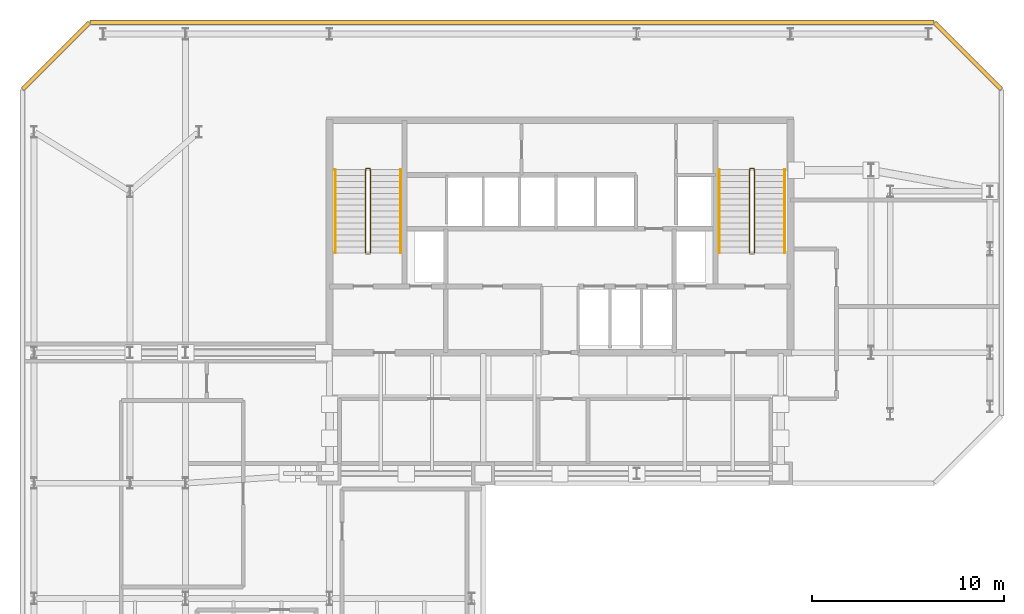
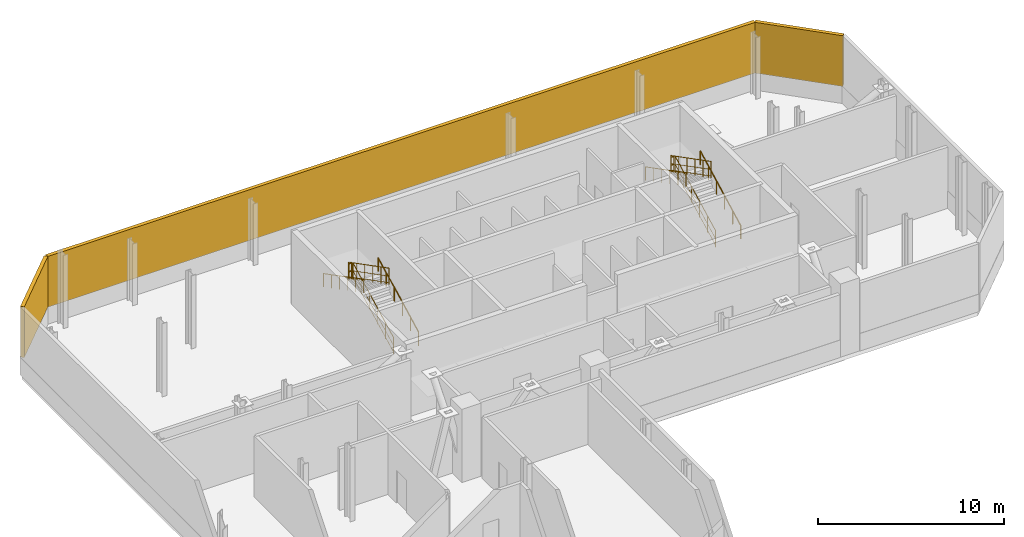
# One storey, part 9 of 9: 10 railings, 3 shading devices.
"""IFC4 building model written with IfcOpenShell, lengths in metres."""

from ifc_helpers import new_model, si_unit, direction, frame, origin, origin_2d, place, context, subcontext, project, spatial, rectangle, circle, extrude, material, type_object, element, save


model = new_model("IFC4")

# Units and contexts
model_context = context("Model", 3, precision=1e-05, world=origin(), true_north=direction((0.0, 1.0)))
body_context = subcontext(model_context, "Body", "Model", "MODEL_VIEW")
ifc_project = project(units=[si_unit("LENGTHUNIT", "METRE"), si_unit("AREAUNIT", "SQUARE_METRE"), si_unit("VOLUMEUNIT", "CUBIC_METRE"), si_unit("PLANEANGLEUNIT", "RADIAN"), si_unit("MASSUNIT", "GRAM", prefix="KILO")], contexts=[model_context])

# Site, building, storey
site_placement = place(None, origin())
site = spatial("IfcSite", under=ifc_project, at=site_placement, CompositionType="ELEMENT")
building_placement = place(site_placement, origin())
building = spatial("IfcBuilding", under=site, at=building_placement, Name="Catumbela Crestline Tower", CompositionType="ELEMENT")
storey_placement = place(building_placement, frame((0.0, 0.0, 144.0)))
storey = spatial("IfcBuildingStorey", under=building, at=storey_placement, Name="L37", CompositionType="ELEMENT", Elevation=144.0)

# Railings
ifc_material_1 = material(Name="Stainless steel EN 1.4401", Category="steel")
railing_type_1 = type_object("IfcRailingType", Name="RG-1100", PredefinedType="GUARDRAIL", material=ifc_material_1)
railing_1_placement = place(storey_placement, frame((18.14, 36.0, 0.16)))
element("IfcRailing", 1, at=railing_1_placement, inside=storey, type_object=railing_type_1, Name="L37 ST-01 stair guard 1", PredefinedType="GUARDRAIL", context=body_context, shape_type="SweptSolid", body=[
    extrude(circle(Radius=0.024, at=origin_2d()), frame((0.0, 0.0, 1.076), z_axis=(0.0, 0.888620657055, 0.45864291977), x_axis=(-1.0, 0.0, 0.0)), (0.0, 0.0, 1.0), 4.884),
    extrude(circle(Radius=0.0156, at=origin_2d()), frame((0.0, 0.0, 0.55), z_axis=(0.0, 0.888620657055, 0.45864291977), x_axis=(-1.0, 0.0, 0.0)), (0.0, 0.0, 1.0), 4.884),
    extrude(circle(Radius=0.0156, at=origin_2d()), frame((0.0, 0.0, 0.12), z_axis=(0.0, 0.888620657055, 0.45864291977), x_axis=(-1.0, 0.0, 0.0)), (0.0, 0.0, 1.0), 4.884),
    extrude(circle(Radius=0.021, at=origin_2d()), origin(), (0.0, 0.0, 1.0), 1.052),
    extrude(circle(Radius=0.021, at=origin_2d()), frame((0.0, 0.868, 0.448)), (0.0, 0.0, 1.0), 1.052),
    extrude(circle(Radius=0.021, at=origin_2d()), frame((0.0, 1.736, 0.896)), (0.0, 0.0, 1.0), 1.052),
    extrude(circle(Radius=0.021, at=origin_2d()), frame((0.0, 2.604, 1.344)), (0.0, 0.0, 1.0), 1.052),
    extrude(circle(Radius=0.021, at=origin_2d()), frame((0.0, 3.472, 1.792)), (0.0, 0.0, 1.0), 1.052),
    extrude(circle(Radius=0.021, at=origin_2d()), frame((0.0, 4.34, 2.24)), (0.0, 0.0, 1.0), 1.052),
])
railing_2_placement = place(storey_placement, frame((18.09, 40.39, 2.4)))
element("IfcRailing", 2, at=railing_2_placement, inside=storey, type_object=railing_type_1, Name="L37 ST-01 stair guard 2", PredefinedType="GUARDRAIL", context=body_context, shape_type="SweptSolid", body=[
    extrude(circle(Radius=0.024, at=origin_2d()), frame((0.0, 0.0, 1.076), z_axis=(-1.0, 0.0, 0.0), x_axis=(0.0, -1.0, 0.0)), (0.0, 0.0, 1.0), 0.18),
    extrude(circle(Radius=0.0156, at=origin_2d()), frame((0.0, 0.0, 0.55), z_axis=(-1.0, 0.0, 0.0), x_axis=(0.0, -1.0, 0.0)), (0.0, 0.0, 1.0), 0.18),
    extrude(circle(Radius=0.0156, at=origin_2d()), frame((0.0, 0.0, 0.12), z_axis=(-1.0, 0.0, 0.0), x_axis=(0.0, -1.0, 0.0)), (0.0, 0.0, 1.0), 0.18),
    extrude(circle(Radius=0.021, at=origin_2d()), origin(), (0.0, 0.0, 1.0), 1.052),
    extrude(circle(Radius=0.021, at=origin_2d()), frame((-0.18, 0.0, 0.0)), (0.0, 0.0, 1.0), 1.052),
])
railing_3_placement = place(storey_placement, frame((17.86, 40.34, 2.56)))
element("IfcRailing", 3, at=railing_3_placement, inside=storey, type_object=railing_type_1, Name="L37 ST-01 stair guard 3", PredefinedType="GUARDRAIL", context=body_context, shape_type="SweptSolid", body=[
    extrude(circle(Radius=0.024, at=origin_2d()), frame((0.0, 0.0, 1.076), z_axis=(0.0, -0.888620657055, 0.45864291977), x_axis=(1.0, 0.0, 0.0)), (0.0, 0.0, 1.0), 4.884),
    extrude(circle(Radius=0.0156, at=origin_2d()), frame((0.0, 0.0, 0.55), z_axis=(0.0, -0.888620657055, 0.45864291977), x_axis=(1.0, 0.0, 0.0)), (0.0, 0.0, 1.0), 4.884),
    extrude(circle(Radius=0.0156, at=origin_2d()), frame((0.0, 0.0, 0.12), z_axis=(0.0, -0.888620657055, 0.45864291977), x_axis=(1.0, 0.0, 0.0)), (0.0, 0.0, 1.0), 4.884),
    extrude(circle(Radius=0.021, at=origin_2d()), origin(), (0.0, 0.0, 1.0), 1.052),
    extrude(circle(Radius=0.021, at=origin_2d()), frame((0.0, -0.868, 0.448)), (0.0, 0.0, 1.0), 1.052),
    extrude(circle(Radius=0.021, at=origin_2d()), frame((0.0, -1.736, 0.896)), (0.0, 0.0, 1.0), 1.052),
    extrude(circle(Radius=0.021, at=origin_2d()), frame((0.0, -2.604, 1.344)), (0.0, 0.0, 1.0), 1.052),
    extrude(circle(Radius=0.021, at=origin_2d()), frame((0.0, -3.472, 1.792)), (0.0, 0.0, 1.0), 1.052),
    extrude(circle(Radius=0.021, at=origin_2d()), frame((0.0, -4.34, 2.24)), (0.0, 0.0, 1.0), 1.052),
])
railing_4_placement = place(storey_placement, frame((38.14, 36.0, 0.16)))
element("IfcRailing", 4, at=railing_4_placement, inside=storey, type_object=railing_type_1, Name="L37 ST-02 stair guard 1", PredefinedType="GUARDRAIL", context=body_context, shape_type="SweptSolid", body=[
    extrude(circle(Radius=0.024, at=origin_2d()), frame((0.0, 0.0, 1.076), z_axis=(0.0, 0.888620657055, 0.45864291977), x_axis=(-1.0, 0.0, 0.0)), (0.0, 0.0, 1.0), 4.884),
    extrude(circle(Radius=0.0156, at=origin_2d()), frame((0.0, 0.0, 0.55), z_axis=(0.0, 0.888620657055, 0.45864291977), x_axis=(-1.0, 0.0, 0.0)), (0.0, 0.0, 1.0), 4.884),
    extrude(circle(Radius=0.0156, at=origin_2d()), frame((0.0, 0.0, 0.12), z_axis=(0.0, 0.888620657055, 0.45864291977), x_axis=(-1.0, 0.0, 0.0)), (0.0, 0.0, 1.0), 4.884),
    extrude(circle(Radius=0.021, at=origin_2d()), origin(), (0.0, 0.0, 1.0), 1.052),
    extrude(circle(Radius=0.021, at=origin_2d()), frame((0.0, 0.868, 0.448)), (0.0, 0.0, 1.0), 1.052),
    extrude(circle(Radius=0.021, at=origin_2d()), frame((0.0, 1.736, 0.896)), (0.0, 0.0, 1.0), 1.052),
    extrude(circle(Radius=0.021, at=origin_2d()), frame((0.0, 2.604, 1.344)), (0.0, 0.0, 1.0), 1.052),
    extrude(circle(Radius=0.021, at=origin_2d()), frame((0.0, 3.472, 1.792)), (0.0, 0.0, 1.0), 1.052),
    extrude(circle(Radius=0.021, at=origin_2d()), frame((0.0, 4.34, 2.24)), (0.0, 0.0, 1.0), 1.052),
])
railing_5_placement = place(storey_placement, frame((38.09, 40.39, 2.4)))
element("IfcRailing", 5, at=railing_5_placement, inside=storey, type_object=railing_type_1, Name="L37 ST-02 stair guard 2", PredefinedType="GUARDRAIL", context=body_context, shape_type="SweptSolid", body=[
    extrude(circle(Radius=0.024, at=origin_2d()), frame((0.0, 0.0, 1.076), z_axis=(-1.0, 0.0, 0.0), x_axis=(0.0, -1.0, 0.0)), (0.0, 0.0, 1.0), 0.18),
    extrude(circle(Radius=0.0156, at=origin_2d()), frame((0.0, 0.0, 0.55), z_axis=(-1.0, 0.0, 0.0), x_axis=(0.0, -1.0, 0.0)), (0.0, 0.0, 1.0), 0.18),
    extrude(circle(Radius=0.0156, at=origin_2d()), frame((0.0, 0.0, 0.12), z_axis=(-1.0, 0.0, 0.0), x_axis=(0.0, -1.0, 0.0)), (0.0, 0.0, 1.0), 0.18),
    extrude(circle(Radius=0.021, at=origin_2d()), origin(), (0.0, 0.0, 1.0), 1.052),
    extrude(circle(Radius=0.021, at=origin_2d()), frame((-0.18, 0.0, 0.0)), (0.0, 0.0, 1.0), 1.052),
])
railing_6_placement = place(storey_placement, frame((37.86, 40.34, 2.56)))
element("IfcRailing", 6, at=railing_6_placement, inside=storey, type_object=railing_type_1, Name="L37 ST-02 stair guard 3", PredefinedType="GUARDRAIL", context=body_context, shape_type="SweptSolid", body=[
    extrude(circle(Radius=0.024, at=origin_2d()), frame((0.0, 0.0, 1.076), z_axis=(0.0, -0.888620657055, 0.45864291977), x_axis=(1.0, 0.0, 0.0)), (0.0, 0.0, 1.0), 4.884),
    extrude(circle(Radius=0.0156, at=origin_2d()), frame((0.0, 0.0, 0.55), z_axis=(0.0, -0.888620657055, 0.45864291977), x_axis=(1.0, 0.0, 0.0)), (0.0, 0.0, 1.0), 4.884),
    extrude(circle(Radius=0.0156, at=origin_2d()), frame((0.0, 0.0, 0.12), z_axis=(0.0, -0.888620657055, 0.45864291977), x_axis=(1.0, 0.0, 0.0)), (0.0, 0.0, 1.0), 4.884),
    extrude(circle(Radius=0.021, at=origin_2d()), origin(), (0.0, 0.0, 1.0), 1.052),
    extrude(circle(Radius=0.021, at=origin_2d()), frame((0.0, -0.868, 0.448)), (0.0, 0.0, 1.0), 1.052),
    extrude(circle(Radius=0.021, at=origin_2d()), frame((0.0, -1.736, 0.896)), (0.0, 0.0, 1.0), 1.052),
    extrude(circle(Radius=0.021, at=origin_2d()), frame((0.0, -2.604, 1.344)), (0.0, 0.0, 1.0), 1.052),
    extrude(circle(Radius=0.021, at=origin_2d()), frame((0.0, -3.472, 1.792)), (0.0, 0.0, 1.0), 1.052),
    extrude(circle(Radius=0.021, at=origin_2d()), frame((0.0, -4.34, 2.24)), (0.0, 0.0, 1.0), 1.052),
])
railing_type_2 = type_object("IfcRailingType", Name="RH-0900", PredefinedType="HANDRAIL", material=ifc_material_1)
railing_7_placement = place(storey_placement, frame((19.7, 36.0, 0.16)))
element("IfcRailing", 7, at=railing_7_placement, inside=storey, type_object=railing_type_2, Name="L37 ST-01 stair handrail 1", PredefinedType="HANDRAIL", context=body_context, shape_type="SweptSolid", body=[
    extrude(circle(Radius=0.024, at=origin_2d()), frame((0.0, 0.0, 0.876), z_axis=(0.0, 0.888620657055, 0.45864291977), x_axis=(-1.0, 0.0, 0.0)), (0.0, 0.0, 1.0), 4.884),
    extrude(circle(Radius=0.021, at=origin_2d()), origin(), (0.0, 0.0, 1.0), 0.852),
    extrude(circle(Radius=0.021, at=origin_2d()), frame((0.0, 0.868, 0.448)), (0.0, 0.0, 1.0), 0.852),
    extrude(circle(Radius=0.021, at=origin_2d()), frame((0.0, 1.736, 0.896)), (0.0, 0.0, 1.0), 0.852),
    extrude(circle(Radius=0.021, at=origin_2d()), frame((0.0, 2.604, 1.344)), (0.0, 0.0, 1.0), 0.852),
    extrude(circle(Radius=0.021, at=origin_2d()), frame((0.0, 3.472, 1.792)), (0.0, 0.0, 1.0), 0.852),
    extrude(circle(Radius=0.021, at=origin_2d()), frame((0.0, 4.34, 2.24)), (0.0, 0.0, 1.0), 0.852),
])
railing_8_placement = place(storey_placement, frame((16.3, 40.34, 2.56)))
element("IfcRailing", 8, at=railing_8_placement, inside=storey, type_object=railing_type_2, Name="L37 ST-01 stair handrail 2", PredefinedType="HANDRAIL", context=body_context, shape_type="SweptSolid", body=[
    extrude(circle(Radius=0.024, at=origin_2d()), frame((0.0, 0.0, 0.876), z_axis=(0.0, -0.888620657055, 0.45864291977), x_axis=(1.0, 0.0, 0.0)), (0.0, 0.0, 1.0), 4.884),
    extrude(circle(Radius=0.021, at=origin_2d()), origin(), (0.0, 0.0, 1.0), 0.852),
    extrude(circle(Radius=0.021, at=origin_2d()), frame((0.0, -0.868, 0.448)), (0.0, 0.0, 1.0), 0.852),
    extrude(circle(Radius=0.021, at=origin_2d()), frame((0.0, -1.736, 0.896)), (0.0, 0.0, 1.0), 0.852),
    extrude(circle(Radius=0.021, at=origin_2d()), frame((0.0, -2.604, 1.344)), (0.0, 0.0, 1.0), 0.852),
    extrude(circle(Radius=0.021, at=origin_2d()), frame((0.0, -3.472, 1.792)), (0.0, 0.0, 1.0), 0.852),
    extrude(circle(Radius=0.021, at=origin_2d()), frame((0.0, -4.34, 2.24)), (0.0, 0.0, 1.0), 0.852),
])
railing_9_placement = place(storey_placement, frame((39.7, 36.0, 0.16)))
element("IfcRailing", 9, at=railing_9_placement, inside=storey, type_object=railing_type_2, Name="L37 ST-02 stair handrail 1", PredefinedType="HANDRAIL", context=body_context, shape_type="SweptSolid", body=[
    extrude(circle(Radius=0.024, at=origin_2d()), frame((0.0, 0.0, 0.876), z_axis=(0.0, 0.888620657055, 0.45864291977), x_axis=(-1.0, 0.0, 0.0)), (0.0, 0.0, 1.0), 4.884),
    extrude(circle(Radius=0.021, at=origin_2d()), origin(), (0.0, 0.0, 1.0), 0.852),
    extrude(circle(Radius=0.021, at=origin_2d()), frame((0.0, 0.868, 0.448)), (0.0, 0.0, 1.0), 0.852),
    extrude(circle(Radius=0.021, at=origin_2d()), frame((0.0, 1.736, 0.896)), (0.0, 0.0, 1.0), 0.852),
    extrude(circle(Radius=0.021, at=origin_2d()), frame((0.0, 2.604, 1.344)), (0.0, 0.0, 1.0), 0.852),
    extrude(circle(Radius=0.021, at=origin_2d()), frame((0.0, 3.472, 1.792)), (0.0, 0.0, 1.0), 0.852),
    extrude(circle(Radius=0.021, at=origin_2d()), frame((0.0, 4.34, 2.24)), (0.0, 0.0, 1.0), 0.852),
])
railing_10_placement = place(storey_placement, frame((36.3, 40.34, 2.56)))
element("IfcRailing", 10, at=railing_10_placement, inside=storey, type_object=railing_type_2, Name="L37 ST-02 stair handrail 2", PredefinedType="HANDRAIL", context=body_context, shape_type="SweptSolid", body=[
    extrude(circle(Radius=0.024, at=origin_2d()), frame((0.0, 0.0, 0.876), z_axis=(0.0, -0.888620657055, 0.45864291977), x_axis=(1.0, 0.0, 0.0)), (0.0, 0.0, 1.0), 4.884),
    extrude(circle(Radius=0.021, at=origin_2d()), origin(), (0.0, 0.0, 1.0), 0.852),
    extrude(circle(Radius=0.021, at=origin_2d()), frame((0.0, -0.868, 0.448)), (0.0, 0.0, 1.0), 0.852),
    extrude(circle(Radius=0.021, at=origin_2d()), frame((0.0, -1.736, 0.896)), (0.0, 0.0, 1.0), 0.852),
    extrude(circle(Radius=0.021, at=origin_2d()), frame((0.0, -2.604, 1.344)), (0.0, 0.0, 1.0), 0.852),
    extrude(circle(Radius=0.021, at=origin_2d()), frame((0.0, -3.472, 1.792)), (0.0, 0.0, 1.0), 0.852),
    extrude(circle(Radius=0.021, at=origin_2d()), frame((0.0, -4.34, 2.24)), (0.0, 0.0, 1.0), 0.852),
])

# Shading devices
ifc_material_2 = material(Name="Aluminium alloy AW-6060-T66", Category="aluminium")
shading_device_type = type_object("IfcShadingDeviceType", Name="SL-PLT", PredefinedType="JALOUSIE", material=ifc_material_2)
shading_device_1_placement = place(storey_placement, frame((49.25, 46.25, 1.11), z_axis=(0.0, 0.0, 1.0), x_axis=(-0.707106781187, 0.707106781187, 0.0)))
element("IfcShadingDevice", 11, at=shading_device_1_placement, inside=storey, type_object=shading_device_type, Name="L37 Acoustic Plant Louvre Bank 20", PredefinedType="JALOUSIE", context=body_context, shape_type="SweptSolid", body=[
    extrude(rectangle(XDim=4.9097, YDim=0.22, at=origin_2d()), origin(), (0.0, 0.0, 1.0), 3.33),
])
shading_device_2_placement = place(storey_placement, frame((25.5, 48.0, 1.11), z_axis=(0.0, 0.0, 1.0), x_axis=(-1.0, 0.0, 0.0)))
element("IfcShadingDevice", 12, at=shading_device_2_placement, inside=storey, type_object=shading_device_type, Name="L37 Acoustic Plant Louvre Bank 21", PredefinedType="JALOUSIE", context=body_context, shape_type="SweptSolid", body=[
    extrude(rectangle(XDim=43.96, YDim=0.22, at=origin_2d()), origin(), (0.0, 0.0, 1.0), 3.33),
])
shading_device_3_placement = place(storey_placement, frame((1.75, 46.25, 1.11), z_axis=(0.0, 0.0, 1.0), x_axis=(-0.707106781187, -0.707106781187, 0.0)))
element("IfcShadingDevice", 13, at=shading_device_3_placement, inside=storey, type_object=shading_device_type, Name="L37 Acoustic Plant Louvre Bank 22", PredefinedType="JALOUSIE", context=body_context, shape_type="SweptSolid", body=[
    extrude(rectangle(XDim=4.9097, YDim=0.22, at=origin_2d()), origin(), (0.0, 0.0, 1.0), 3.33),
])

save(model, "model.ifc")
